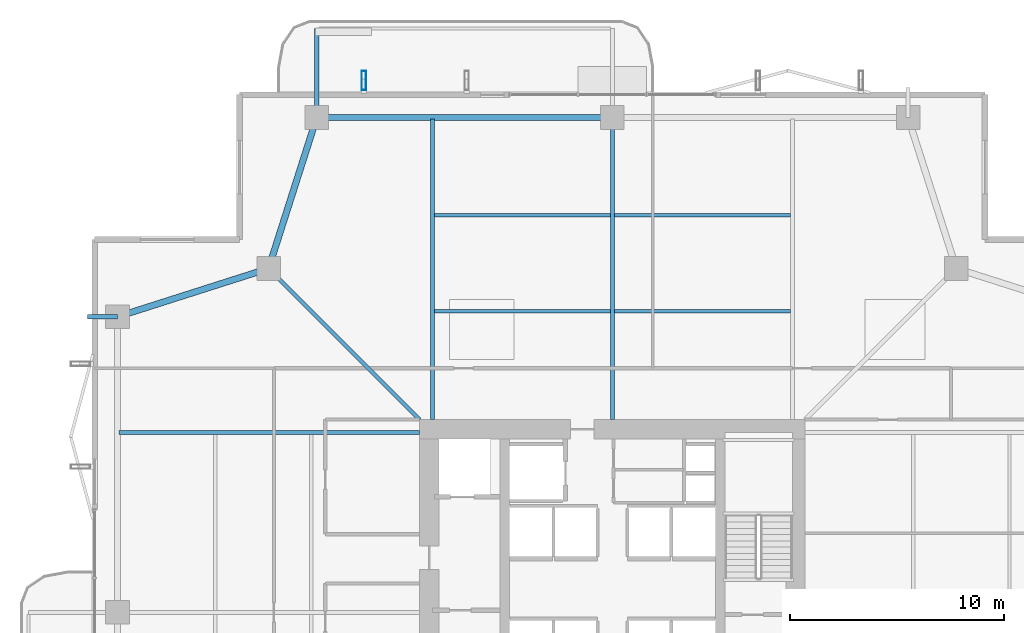
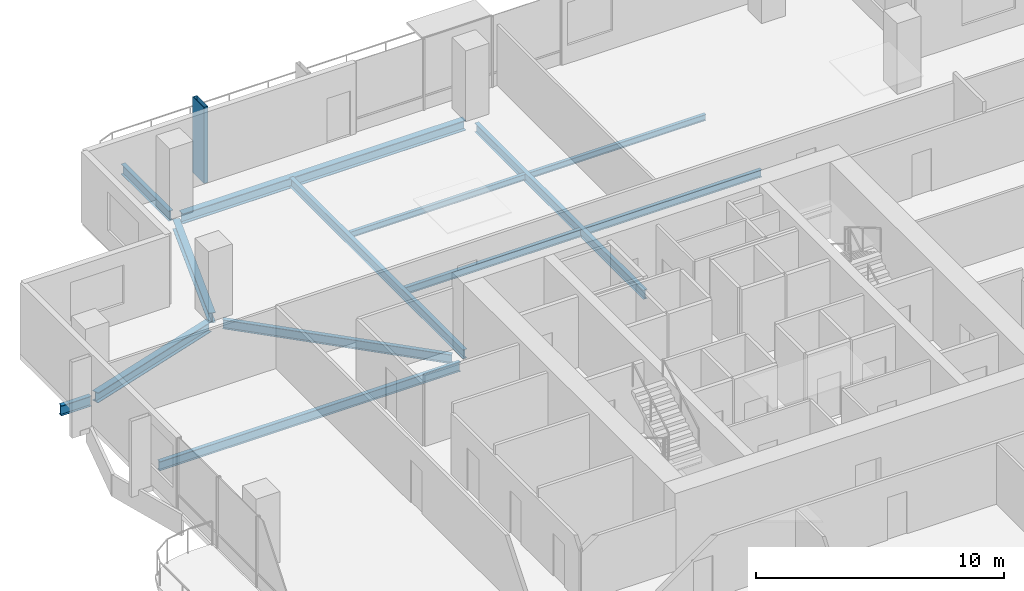
# One storey, part 12 of 25: 13 beams, 1 member.
"""IFC4 building model written with IfcOpenShell, lengths in metres."""

from ifc_helpers import new_model, si_unit, direction, frame, origin, origin_2d, place, context, subcontext, project, spatial, hollow_rectangle, i_section, extrude, material, material_profile, profile_set, type_object, element, save


model = new_model("IFC4")

# Units and contexts
model_context = context("Model", 3, precision=1e-05, world=origin(), true_north=direction((0.0, 1.0)))
body_context = subcontext(model_context, "Body", "Model", "MODEL_VIEW")
ifc_project = project(units=[si_unit("LENGTHUNIT", "METRE"), si_unit("AREAUNIT", "SQUARE_METRE"), si_unit("VOLUMEUNIT", "CUBIC_METRE"), si_unit("PLANEANGLEUNIT", "RADIAN"), si_unit("MASSUNIT", "GRAM", prefix="KILO")], contexts=[model_context])

# Site, building, storey
site_placement = place(None, origin())
site = spatial("IfcSite", under=ifc_project, at=site_placement, CompositionType="ELEMENT")
building_placement = place(site_placement, origin())
building = spatial("IfcBuilding", under=site, at=building_placement, Name="Belovzor Exchange Tower", CompositionType="ELEMENT")
storey_placement = place(building_placement, frame((0.0, 0.0, 187.050048828125)))
storey = spatial("IfcBuildingStorey", under=building, at=storey_placement, Name="L46", CompositionType="ELEMENT", Elevation=187.050048828125)

# Beams
ifc_material_1 = material(Name="Steel S355", Category="steel")
ifc_material_profile_1 = material_profile(ifc_material_1, i_section(OverallWidth=0.199951171875, OverallDepth=0.5, WebThickness=0.01025390625, FlangeThickness=0.01611328125, at=origin_2d()))
ifc_profile_set_1 = profile_set([ifc_material_profile_1], Name="Steel S355")
beam_type_1 = type_object("IfcBeamType", Name="Planted Balcony Cantilever Beam IPE 500", PredefinedType="BEAM", material=ifc_profile_set_1)
beam_1_placement = place(storey_placement, frame((15.0, 52.202880859375, -0.505126953125), z_axis=(0.0, 1.0, 0.0), x_axis=(-1.0, 0.0, 0.0)))
element("IfcBeam", 1, at=beam_1_placement, inside=storey, type_object=beam_type_1, Name="BC-500 Planted Balcony Cantilever Beam IPE 500", PredefinedType="BEAM", context=body_context, shape_type="SweptSolid", body=[
    extrude(i_section(OverallWidth=0.199951171875, OverallDepth=0.5, WebThickness=0.01025390625, FlangeThickness=0.01611328125, at=origin_2d()), origin(), (0.0, 0.0, 1.0), 3.85009765625),
])
beam_2_placement = place(storey_placement, frame((5.699951171875, 42.60009765625, -0.505126953125), z_axis=(-1.0, 0.0, 0.0), x_axis=(0.0, -1.0, 0.0)))
element("IfcBeam", 2, at=beam_2_placement, inside=storey, type_object=beam_type_1, Name="BC-500 Planted Balcony Cantilever Beam IPE 500", PredefinedType="BEAM", context=body_context, shape_type="SweptSolid", body=[
    extrude(i_section(OverallWidth=0.199951171875, OverallDepth=0.5, WebThickness=0.01025390625, FlangeThickness=0.01611328125, at=origin_2d()), origin(), (0.0, 0.0, 1.0), 1.39990234375),
])
ifc_material_2 = material(Name="Steel S355", Category="steel")
ifc_material_profile_2 = material_profile(ifc_material_2, i_section(OverallWidth=0.169921875, OverallDepth=0.360107421875, WebThickness=0.008056640625, FlangeThickness=0.0126953125, at=origin_2d()))
ifc_profile_set_2 = profile_set([ifc_material_profile_2], Name="Steel S355")
beam_type_2 = type_object("IfcBeamType", Name="Secondary Infill Floor Joist IPE 360", PredefinedType="BEAM", material=ifc_profile_set_2)
for number, where, z_axis, x_axis, name in (
    (3, (20.4951171875, 42.84912109375, -0.43505859375), (1.0, 0.0, 0.0), (0.0, 1.0, 0.0), "FJ-360 Secondary Infill Floor Joist IPE 360"),
    (4, (28.89501953125, 42.84912109375, -0.43505859375), (1.0, 0.0, 0.0), (0.0, 1.0, 0.0), "FJ-360 Secondary Infill Floor Joist IPE 360"),
):
    element("IfcBeam", number, at=place(storey_placement, frame(where, z_axis=z_axis, x_axis=x_axis)), inside=storey, type_object=beam_type_2, Name=name, PredefinedType="BEAM", context=body_context, shape_type="SweptSolid", body=[
        extrude(i_section(OverallWidth=0.169921875, OverallDepth=0.360107421875, WebThickness=0.008056640625, FlangeThickness=0.0126953125, at=origin_2d()), origin(), (0.0, 0.0, 1.0), 8.2099609375),
    ])
ifc_material_3 = material(Name="Steel S355", Category="steel")
ifc_material_profile_3 = material_profile(ifc_material_3, i_section(OverallWidth=0.14990234375, OverallDepth=0.300048828125, WebThickness=0.007080078125, FlangeThickness=0.0107421875, at=origin_2d()))
ifc_profile_set_3 = profile_set([ifc_material_profile_3], Name="Steel S355")
beam_type_3 = type_object("IfcBeamType", Name="Secondary Trim Floor Joist IPE 300", PredefinedType="BEAM", material=ifc_profile_set_3)
for number, where, z_axis, x_axis, name in (
    (5, (20.4951171875, 47.3369140625, -0.405029296875), (1.0, 0.0, 0.0), (0.0, 1.0, 0.0), "FJ-300 Secondary Trim Floor Joist IPE 300"),
    (6, (28.89501953125, 47.3369140625, -0.405029296875), (1.0, 0.0, 0.0), (0.0, 1.0, 0.0), "FJ-300 Secondary Trim Floor Joist IPE 300"),
):
    element("IfcBeam", number, at=place(storey_placement, frame(where, z_axis=z_axis, x_axis=x_axis)), inside=storey, type_object=beam_type_3, Name=name, PredefinedType="BEAM", context=body_context, shape_type="SweptSolid", body=[
        extrude(i_section(OverallWidth=0.14990234375, OverallDepth=0.300048828125, WebThickness=0.007080078125, FlangeThickness=0.0107421875, at=origin_2d()), origin(), (0.0, 0.0, 1.0), 8.2099609375),
    ])

# Member
ifc_material_4 = material(Name="Extruded Architectural Terracotta on Steel S355 Carrier", Category="masonry")
ifc_material_profile_4 = material_profile(ifc_material_4, hollow_rectangle(XDim=0.199951171875, YDim=0.89990234375, WallThickness=0.011962890625, at=origin_2d()))
ifc_profile_set_4 = profile_set([ifc_material_profile_4], Name="Extruded Architectural Terracotta on Steel S355 Carrier")
member_type = type_object("IfcMemberType", Name="Sweeping Terracotta Baguette Fin Assembly 1250", PredefinedType="USERDEFINED", material=ifc_profile_set_4)
member_placement = place(storey_placement, frame((17.199951171875, 53.625, -0.255126953125), z_axis=(0.0, 0.0, 1.0), x_axis=(1.0, 0.0, 0.0)))
element("IfcMember", 7, at=member_placement, inside=storey, type_object=member_type, Name="FIN-TC125 Terracotta Facade Fin L46 N1", ObjectType="FIN", PredefinedType="USERDEFINED", context=body_context, shape_type="SweptSolid", body=[
    extrude(hollow_rectangle(XDim=0.199951171875, YDim=0.89990234375, WallThickness=0.011962890625, at=origin_2d()), origin(), (0.0, 0.0, 1.0), 3.75),
])

# Beams
ifc_material_5 = material(Name="Steel S355", Category="steel")
ifc_material_profile_5 = material_profile(ifc_material_5, i_section(OverallWidth=0.18994140625, OverallDepth=0.449951171875, WebThickness=0.009521484375, FlangeThickness=0.0146484375, at=origin_2d()))
ifc_profile_set_5 = profile_set([ifc_material_profile_5], Name="Steel S355")
beam_type_4 = type_object("IfcBeamType", Name="Zone 2-4 Radial Composite Floor Beam IPE 450", PredefinedType="BEAM", material=ifc_profile_set_5)
beam_3_placement = place(storey_placement, frame((20.39990234375, 37.800048828125, -0.47998046875), z_axis=(0.0, 1.0, 0.0), x_axis=(-1.0, 0.0, 0.0)))
element("IfcBeam", 8, at=beam_3_placement, inside=storey, type_object=beam_type_4, Name="FB-450 Zone 2-4 Radial Composite Floor Beam IPE 450", PredefinedType="BEAM", context=body_context, shape_type="SweptSolid", body=[
    extrude(i_section(OverallWidth=0.18994140625, OverallDepth=0.449951171875, WebThickness=0.009521484375, FlangeThickness=0.0146484375, at=origin_2d()), origin(), (0.0, 0.0, 1.0), 14.02490234375),
])
beam_4_placement = place(storey_placement, frame((28.800048828125, 37.800048828125, -0.47998046875), z_axis=(0.0, 1.0, 0.0), x_axis=(-1.0, 0.0, 0.0)))
element("IfcBeam", 9, at=beam_4_placement, inside=storey, type_object=beam_type_4, Name="FB-450 Zone 2-4 Radial Composite Floor Beam IPE 450", PredefinedType="BEAM", context=body_context, shape_type="SweptSolid", body=[
    extrude(i_section(OverallWidth=0.18994140625, OverallDepth=0.449951171875, WebThickness=0.009521484375, FlangeThickness=0.0146484375, at=origin_2d()), origin(), (0.0, 0.0, 1.0), 13.615966796875),
])
beam_5_placement = place(storey_placement, frame((19.800048828125, 37.199951171875, -0.47998046875), z_axis=(-1.0, 0.0, 0.0), x_axis=(0.0, -1.0, 0.0)))
element("IfcBeam", 10, at=beam_5_placement, inside=storey, type_object=beam_type_4, Name="FB-450 Zone 2-4 Radial Composite Floor Beam IPE 450", PredefinedType="BEAM", context=body_context, shape_type="SweptSolid", body=[
    extrude(i_section(OverallWidth=0.18994140625, OverallDepth=0.449951171875, WebThickness=0.009521484375, FlangeThickness=0.0146484375, at=origin_2d()), origin(), (0.0, 0.0, 1.0), 14.025146484375),
])
beam_6_placement = place(storey_placement, frame((19.800048828125, 37.800048828125, -0.47998046875), z_axis=(-0.707119521505, 0.707094040639, 0.0), x_axis=(-0.707094040639, -0.707119521505, 0.0)))
element("IfcBeam", 11, at=beam_6_placement, inside=storey, type_object=beam_type_4, Name="FB-450 Zone 2-4 Radial Composite Floor Beam IPE 450", PredefinedType="BEAM", context=body_context, shape_type="SweptSolid", body=[
    extrude(i_section(OverallWidth=0.18994140625, OverallDepth=0.449951171875, WebThickness=0.009521484375, FlangeThickness=0.0146484375, at=origin_2d()), origin(), (0.0, 0.0, 1.0), 9.581298828125),
])
ifc_material_6 = material(Name="Steel S355", Category="steel")
ifc_material_profile_6 = material_profile(ifc_material_6, i_section(OverallWidth=0.300048828125, OverallDepth=0.5, WebThickness=0.014404296875, FlangeThickness=0.028076171875, at=origin_2d()))
ifc_profile_set_6 = profile_set([ifc_material_profile_6], Name="Steel S355")
beam_type_5 = type_object("IfcBeamType", Name="Zone 3 Waist Primary Girder HEB 500", PredefinedType="BEAM", material=ifc_profile_set_6)
beam_7_placement = place(storey_placement, frame((28.498046875, 51.89990234375, -0.505126953125), z_axis=(-1.0, 0.0, 0.0), x_axis=(0.0, -1.0, 0.0)))
element("IfcBeam", 12, at=beam_7_placement, inside=storey, type_object=beam_type_5, Name="FG-Z3 Zone 3 Waist Primary Girder HEB 500", PredefinedType="BEAM", context=body_context, shape_type="SweptSolid", body=[
    extrude(i_section(OverallWidth=0.300048828125, OverallDepth=0.5, WebThickness=0.014404296875, FlangeThickness=0.028076171875, at=origin_2d()), origin(), (0.0, 0.0, 1.0), 13.195068359375),
])
for number, where, z_axis, x_axis, name in (
    (13, (14.907958984375, 51.612060546875, -0.505126953125), (-0.304001325621, -0.952671608699, 0.0), (0.952671608699, -0.304001325621, 0.0), "FG-Z3 Zone 3 Waist Primary Girder HEB 500"),
    (14, (12.4619140625, 44.758056640625, -0.505126953125), (-0.952657882792, -0.304044336164, 0.0), (0.304044336164, -0.952657882792, 0.0), "FG-Z3 Zone 3 Waist Primary Girder HEB 500"),
):
    element("IfcBeam", number, at=place(storey_placement, frame(where, z_axis=z_axis, x_axis=x_axis)), inside=storey, type_object=beam_type_5, Name=name, PredefinedType="BEAM", context=body_context, shape_type="SweptSolid", body=[
        extrude(i_section(OverallWidth=0.300048828125, OverallDepth=0.5, WebThickness=0.014404296875, FlangeThickness=0.028076171875, at=origin_2d()), origin(), (0.0, 0.0, 1.0), 6.795654296875),
    ])

save(model, "model.ifc")
